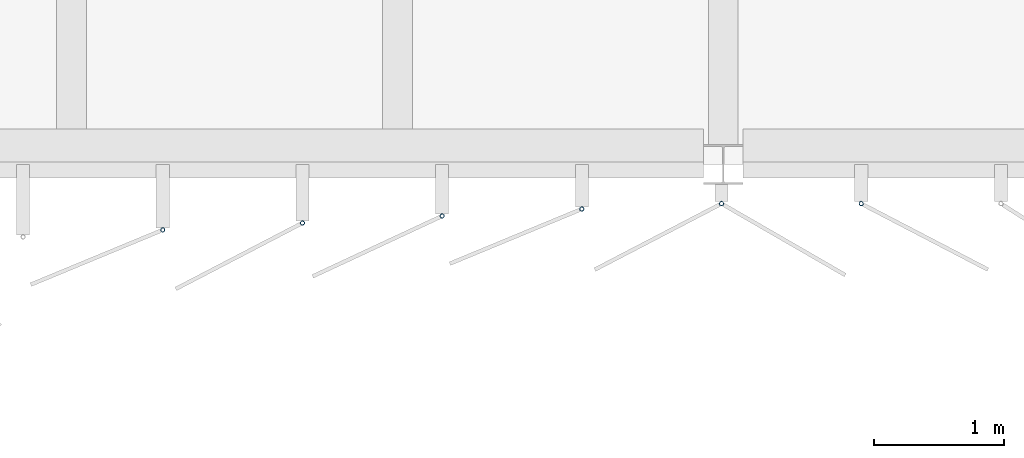
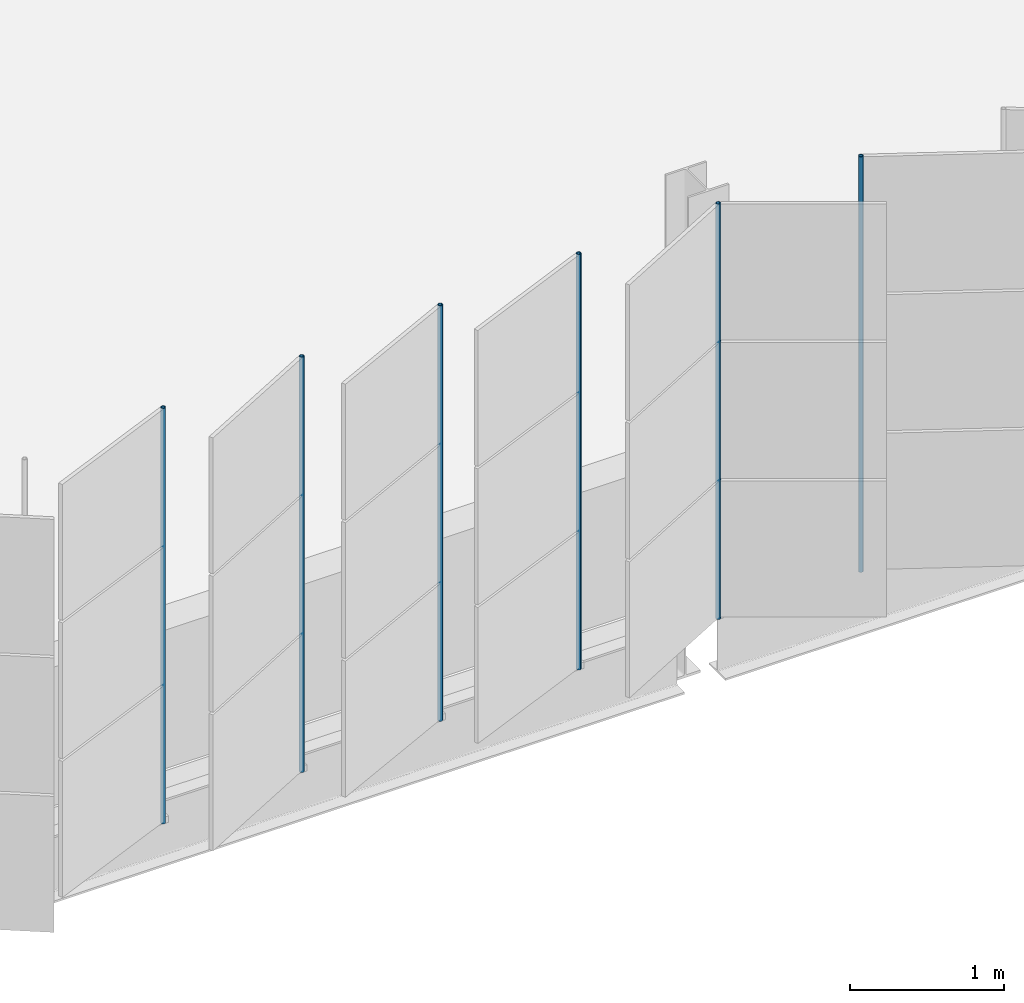
# One storey, part 74 of 199: 6 discrete accessories.
"""IFC4 building model written with IfcOpenShell, lengths in metres."""

from ifc_helpers import new_model, si_unit, direction, frame, origin, origin_2d, place, context, subcontext, project, spatial, hollow_circle, extrude, material, material_profile, profile_set, type_object, element, save


model = new_model("IFC4")

# Units and contexts
model_context = context("Model", 3, precision=1e-05, world=origin(), true_north=direction((0.0, 1.0)))
body_context = subcontext(model_context, "Body", "Model", "MODEL_VIEW")
ifc_project = project(units=[si_unit("LENGTHUNIT", "METRE"), si_unit("AREAUNIT", "SQUARE_METRE"), si_unit("VOLUMEUNIT", "CUBIC_METRE"), si_unit("PLANEANGLEUNIT", "RADIAN"), si_unit("MASSUNIT", "GRAM", prefix="KILO")], contexts=[model_context])

# Site, building, storey
site_placement = place(None, origin())
site = spatial("IfcSite", under=ifc_project, at=site_placement, CompositionType="ELEMENT")
building_placement = place(site_placement, origin())
building = spatial("IfcBuilding", under=site, at=building_placement, Name="Parallax Yard Mobility Hub", CompositionType="ELEMENT")
storey_placement = place(building_placement, frame((0.0, 0.0, 9.89990234375)))
storey = spatial("IfcBuildingStorey", under=building, at=storey_placement, Name="L03", CompositionType="ELEMENT", Elevation=9.89990234375)

# Discrete accessories
ifc_material = material(Name="Steel ASTM A500 Gr C, hot-dip galvanised", Category="steel")
ifc_material_profile = material_profile(ifc_material, hollow_circle(Radius=0.016845703125, WallThickness=0.003173828125, at=origin_2d()), Name="CHS 33.7x3.2")
ifc_profile_set = profile_set([ifc_material_profile], Name="Steel ASTM A500 Gr C, hot-dip galvanised")
discrete_accessory_type = type_object("IfcDiscreteAccessoryType", Name="Hinge post CHS 33.7x3.2", PredefinedType="BRACKET", material=ifc_profile_set)
for number, where, z_axis, x_axis, name in (
    (1, (40.7001953125, 111.998291015625, 0.0), (0.0, 0.0, 1.0), (1.0, 0.0, 0.0), "Hinge post bay 2.4 level L03"),
    (2, (41.771728515625, 112.0517578125, 0.0), (0.0, 0.0, 1.0), (1.0, 0.0, 0.0), "Hinge post bay 2.5 level L03"),
    (3, (42.84326171875, 112.10546875, 0.0), (0.0, 0.0, 1.0), (1.0, 0.0, 0.0), "Hinge post bay 2.6 level L03"),
    (4, (43.914794921875, 112.158935546875, 0.0), (0.0, 0.0, 1.0), (1.0, 0.0, 0.0), "Hinge post bay 2.7 level L03"),
    (5, (44.986328125, 112.199951171875, 0.0), (0.0, 0.0, 1.0), (1.0, 0.0, 0.0), "Hinge post bay 3.1 level L03"),
    (6, (46.057861328125, 112.199951171875, 0.0), (0.0, 0.0, 1.0), (1.0, 0.0, 0.0), "Hinge post bay 3.2 level L03"),
):
    element("IfcDiscreteAccessory", number, at=place(storey_placement, frame(where, z_axis=z_axis, x_axis=x_axis)), inside=storey, type_object=discrete_accessory_type, Name=name, PredefinedType="BRACKET", context=body_context, shape_type="SweptSolid", body=[
        extrude(hollow_circle(Radius=0.016845703125, WallThickness=0.003173828125, at=origin_2d()), origin(), (0.0, 0.0, 1.0), 3.300048828125),
    ])

save(model, "model.ifc")
